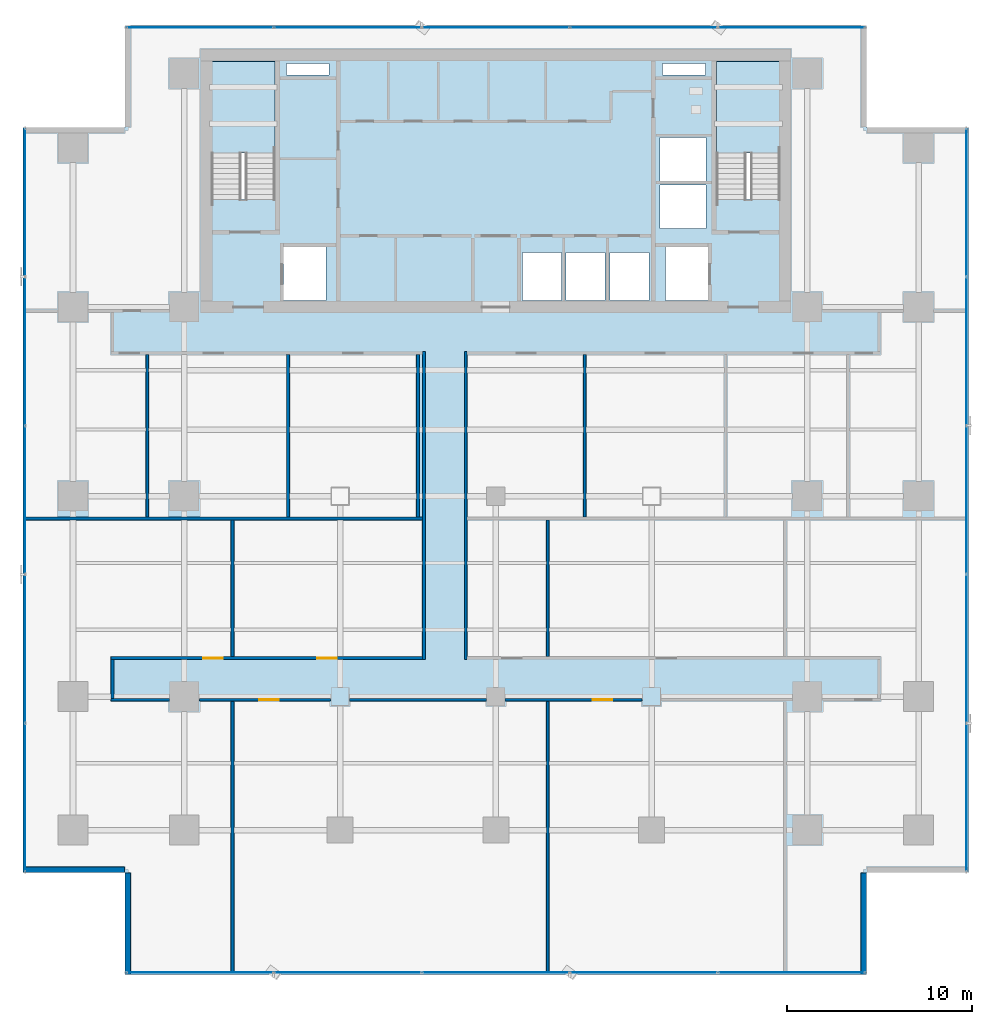
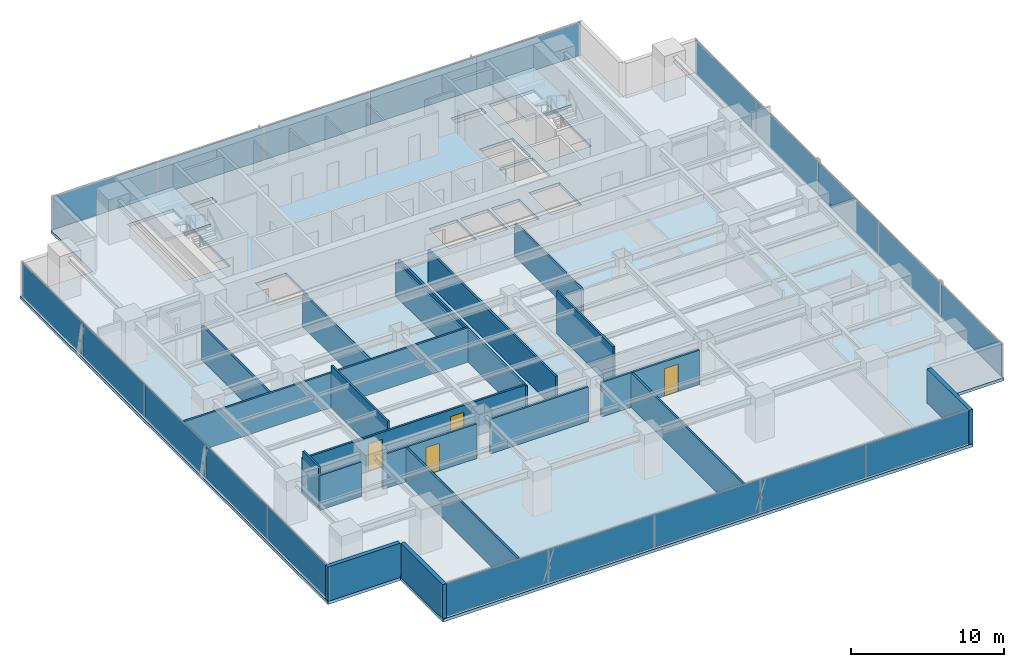
# One storey, part 25 of 34: 20 plates, 20 walls, 4 doors, 3 slabs, 4 openings, 6 elements without a shape of their own.
"""IFC4 building model written with IfcOpenShell, lengths in metres."""

from ifc_helpers import new_model, si_unit, direction, frame, frame_2d, origin, origin_2d, place, context, subcontext, project, spatial, polyline, rectangle, outline, extrude, source, transform, mapped, material, layer, layer_set, type_object, element, fill, aggregate, save


model = new_model("IFC4")

# Units and contexts
model_context = context("Model", 3, precision=1e-05, world=origin(), true_north=direction((0.0, 1.0)))
body_context = subcontext(model_context, "Body", "Model", "MODEL_VIEW")
ifc_project = project(units=[si_unit("LENGTHUNIT", "METRE"), si_unit("AREAUNIT", "SQUARE_METRE"), si_unit("VOLUMEUNIT", "CUBIC_METRE"), si_unit("PLANEANGLEUNIT", "RADIAN"), si_unit("MASSUNIT", "GRAM", prefix="KILO")], contexts=[model_context])

# Site, building, storey
site_placement = place(None, origin())
site = spatial("IfcSite", under=ifc_project, at=site_placement, CompositionType="ELEMENT")
building_placement = place(site_placement, origin())
building = spatial("IfcBuilding", under=site, at=building_placement, Name="Sumidabori Civic Tower", CompositionType="ELEMENT")
storey_placement = place(building_placement, frame((0.0, 0.0, 99.199951171875)))
storey = spatial("IfcBuildingStorey", under=building, at=storey_placement, Name="L25", CompositionType="ELEMENT", Elevation=99.199951171875)

# Stair, slab
ifc_material_1 = material(Name="Concrete C40/50", Category="concrete")
stair_type = type_object("IfcStairType", Name="ST-CORE-1600", PredefinedType="HALF_TURN_STAIR", material=ifc_material_1)
stair_1_placement = place(storey_placement, origin())
stair_1 = element("IfcStair", 1, at=stair_1_placement, inside=storey, type_object=stair_type, Name="L25 ST-1", PredefinedType="HALF_TURN_STAIR")
ifc_layer_1 = layer(ifc_material_1, 0.199951171875, Name="Concrete C40/50")
ifc_layer_set_1 = layer_set([ifc_layer_1], Name="Concrete C40/50")
slab_type_1 = type_object("IfcSlabType", Name="SL-LAND-200", PredefinedType="LANDING", material=ifc_layer_set_1)
slab_1_placement = place(storey_placement, frame((0.0, 0.0, 1.60009765625)))
slab_1 = element("IfcSlab", 2, at=slab_1_placement, type_object=slab_type_1, Name="ST-1 landing 1", PredefinedType="LANDING", context=body_context, shape_type="SweptSolid", body=[
    extrude(outline(polyline([(-11.89990234375, 18.52001953125), (-11.89990234375, 23.449951171875), (-15.340087890625, 23.449951171875), (-15.340087890625, 18.52001953125), (-11.89990234375, 18.52001953125)])), origin(), (0.0, 0.0, 1.0), 0.199951171875),
])
aggregate(stair_1, [slab_1])

stair_2_placement = place(storey_placement, origin())
stair_2 = element("IfcStair", 3, at=stair_2_placement, inside=storey, type_object=stair_type, Name="L25 ST-2", PredefinedType="HALF_TURN_STAIR")
slab_2_placement = place(storey_placement, frame((0.0, 0.0, 1.60009765625)))
slab_2 = element("IfcSlab", 4, at=slab_2_placement, type_object=slab_type_1, Name="ST-2 landing 1", PredefinedType="LANDING", context=body_context, shape_type="SweptSolid", body=[
    extrude(outline(polyline([(15.340087890625, 18.52001953125), (15.340087890625, 23.449951171875), (11.89990234375, 23.449951171875), (11.89990234375, 18.52001953125), (15.340087890625, 18.52001953125)])), origin(), (0.0, 0.0, 1.0), 0.199951171875),
])
aggregate(stair_2, [slab_2])

# Slab
ifc_layer_2 = layer(ifc_material_1, 0.239990234375, Name="Concrete C40/50")
ifc_layer_set_2 = layer_set([ifc_layer_2], Name="Concrete C40/50")
slab_type_2 = type_object("IfcSlabType", Name="SL-Z1-240", PredefinedType="FLOOR", material=ifc_layer_set_2)
slab_3_placement = place(storey_placement, frame((0.0, 0.0, -0.239990234375)))
element("IfcSlab", 5, at=slab_3_placement, inside=storey, type_object=slab_type_2, Name="Structural Slab L25", PredefinedType="FLOOR", context=body_context, shape_type="SweptSolid", body=[
    extrude(outline(polyline([(-20.0, -25.800048828125), (20.0, -25.800048828125), (20.0, -20.300048828125), (25.5, -20.300048828125), (25.5, 19.89990234375), (20.0, 19.89990234375), (20.0, 25.39990234375), (-20.0, 25.39990234375), (-20.0, 19.89990234375), (-25.5, 19.89990234375), (-25.5, -20.300048828125), (-20.0, -20.300048828125), (-20.0, -25.800048828125)]), holes=[polyline([(-11.89990234375, 16.0), (-11.89990234375, 23.449951171875), (-15.340087890625, 23.449951171875), (-15.340087890625, 16.0), (-11.89990234375, 16.0)]), polyline([(15.340087890625, 16.0), (15.340087890625, 23.449951171875), (11.89990234375, 23.449951171875), (11.89990234375, 16.0), (15.340087890625, 16.0)]), polyline([(-11.449951171875, 10.550048828125), (-9.14990234375, 10.550048828125), (-9.14990234375, 13.449951171875), (-11.449951171875, 13.449951171875), (-11.449951171875, 10.550048828125)]), polyline([(9.14990234375, 10.550048828125), (11.449951171875, 10.550048828125), (11.449951171875, 13.449951171875), (9.14990234375, 13.449951171875), (9.14990234375, 10.550048828125)]), polyline([(1.449951171875, 10.550048828125), (3.550048828125, 10.550048828125), (3.550048828125, 13.14990234375), (1.449951171875, 13.14990234375), (1.449951171875, 10.550048828125)]), polyline([(3.800048828125, 10.550048828125), (5.89990234375, 10.550048828125), (5.89990234375, 13.14990234375), (3.800048828125, 13.14990234375), (3.800048828125, 10.550048828125)]), polyline([(6.14990234375, 10.550048828125), (8.25, 10.550048828125), (8.25, 13.14990234375), (6.14990234375, 13.14990234375), (6.14990234375, 10.550048828125)]), polyline([(8.85009765625, 14.449951171875), (11.35009765625, 14.449951171875), (11.35009765625, 16.800048828125), (8.85009765625, 16.800048828125), (8.85009765625, 14.449951171875)]), polyline([(8.85009765625, 17.0), (11.35009765625, 17.0), (11.35009765625, 19.35009765625), (8.85009765625, 19.35009765625), (8.85009765625, 17.0)]), polyline([(-11.300048828125, 22.719970703125), (-9.0, 22.719970703125), (-9.0, 23.35009765625), (-11.300048828125, 23.35009765625), (-11.300048828125, 22.719970703125)]), polyline([(9.0, 22.719970703125), (11.300048828125, 22.719970703125), (11.300048828125, 23.35009765625), (9.0, 23.35009765625), (9.0, 22.719970703125)])]), origin(), (0.0, 0.0, 1.0), 0.239990234375),
])

# Curtain wall, plates
ifc_material_2 = material(Name="Anodised Bronze Aluminium AW-6063-T6", Category="aluminium")
ifc_layer_3 = layer(ifc_material_2, 0.179931640625, Name="Anodised Bronze Aluminium AW-6063-T6")
ifc_layer_set_3 = layer_set([ifc_layer_3], Name="Anodised Bronze Aluminium AW-6063-T6")
curtain_wall_type = type_object("IfcCurtainWallType", Name="CW-SYS-3", PredefinedType="NOTDEFINED", material=ifc_layer_set_3)
curtain_wall_1_placement = place(storey_placement, origin())
curtain_wall_1 = element("IfcCurtainWall", 6, at=curtain_wall_1_placement, inside=storey, type_object=curtain_wall_type, Name="Curtain Wall CW:L25:R01", PredefinedType="NOTDEFINED")
ifc_material_3 = material(Name="Low-E Solar-Control Vision Glazing", Category="glass")
ifc_layer_4 = layer(ifc_material_3, 0.028076171875, Name="Low-E Solar-Control Vision Glazing")
ifc_layer_set_4 = layer_set([ifc_layer_4], Name="Low-E Solar-Control Vision Glazing")
plate_type = type_object("IfcPlateType", Name="CW-PNL-28", PredefinedType="CURTAIN_PANEL", material=ifc_layer_set_4)
shared_shape_1 = source(origin(), body_context, "Body", "SweptSolid", [
    extrude(rectangle(XDim=7.890380859375, YDim=0.028076171875, at=origin_2d()), origin(), (0.0, 0.0, 1.0), 2.6201171875),
])
plate_1_placement = place(storey_placement, frame((-15.959716796875, -25.679931640625, 0.06005859375), z_axis=(0.0, 0.0, 1.0), x_axis=(1.0, 0.0, 0.0)))
plate_1 = element("IfcPlate", 7, at=plate_1_placement, type_object=plate_type, Name="CW-3 panel 1.1", PredefinedType="CURTAIN_PANEL", context=body_context, shape_type="MappedRepresentation", body=[
    mapped(shared_shape_1, transform((0.0, 0.0, 0.0), x_axis=(1.0, 0.0, 0.0), y_axis=(0.0, 1.0, 0.0), z_axis=(0.0, 0.0, 1.0), scale=1.0)),
])
plate_2_placement = place(storey_placement, frame((15.959716796875, -25.679931640625, 0.06005859375), z_axis=(0.0, 0.0, 1.0), x_axis=(1.0, 0.0, 0.0)))
plate_2 = element("IfcPlate", 8, at=plate_2_placement, type_object=plate_type, Name="CW-3 panel 5.1", PredefinedType="CURTAIN_PANEL", context=body_context, shape_type="MappedRepresentation", body=[
    mapped(shared_shape_1, transform((0.0, 0.0, 0.0), x_axis=(1.0, 0.0, 0.0), y_axis=(0.0, 1.0, 0.0), z_axis=(0.0, 0.0, 1.0), scale=1.0)),
])

curtain_wall_2_placement = place(storey_placement, origin())
curtain_wall_2 = element("IfcCurtainWall", 9, at=curtain_wall_2_placement, inside=storey, type_object=curtain_wall_type, Name="Curtain Wall CW:L25:R07", PredefinedType="NOTDEFINED")
plate_3_placement = place(storey_placement, frame((15.959716796875, 25.280029296875, 0.06005859375), z_axis=(0.0, 0.0, 1.0), x_axis=(-1.0, 0.0, 0.0)))
plate_3 = element("IfcPlate", 10, at=plate_3_placement, type_object=plate_type, Name="CW-3 panel 1.1", PredefinedType="CURTAIN_PANEL", context=body_context, shape_type="MappedRepresentation", body=[
    mapped(shared_shape_1, transform((0.0, 0.0, 0.0), x_axis=(1.0, 0.0, 0.0), y_axis=(0.0, 1.0, 0.0), z_axis=(0.0, 0.0, 1.0), scale=1.0)),
])
plate_4_placement = place(storey_placement, frame((-15.959716796875, 25.280029296875, 0.06005859375), z_axis=(0.0, 0.0, 1.0), x_axis=(-1.0, 0.0, 0.0)))
plate_4 = element("IfcPlate", 11, at=plate_4_placement, type_object=plate_type, Name="CW-3 panel 5.1", PredefinedType="CURTAIN_PANEL", context=body_context, shape_type="MappedRepresentation", body=[
    mapped(shared_shape_1, transform((0.0, 0.0, 0.0), x_axis=(1.0, 0.0, 0.0), y_axis=(0.0, 1.0, 0.0), z_axis=(0.0, 0.0, 1.0), scale=1.0)),
])

# Plate
shared_shape_2 = source(origin(), body_context, "Body", "SweptSolid", [
    extrude(rectangle(XDim=7.923095703125, YDim=0.028076171875, at=origin_2d()), origin(), (0.0, 0.0, 1.0), 2.6201171875),
])
plate_5_placement = place(storey_placement, frame((-7.988037109375, -25.679931640625, 0.06005859375), z_axis=(0.0, 0.0, 1.0), x_axis=(1.0, 0.0, 0.0)))
plate_5 = element("IfcPlate", 12, at=plate_5_placement, type_object=plate_type, Name="CW-3 panel 2.1", PredefinedType="CURTAIN_PANEL", context=body_context, shape_type="MappedRepresentation", body=[
    mapped(shared_shape_2, transform((0.0, 0.0, 0.0), x_axis=(1.0, 0.0, 0.0), y_axis=(0.0, 1.0, 0.0), z_axis=(0.0, 0.0, 1.0), scale=1.0)),
])

plate_6_placement = place(storey_placement, frame((0.0, -25.679931640625, 0.06005859375), z_axis=(0.0, 0.0, 1.0), x_axis=(1.0, 0.0, 0.0)))
plate_6 = element("IfcPlate", 13, at=plate_6_placement, type_object=plate_type, Name="CW-3 panel 3.1", PredefinedType="CURTAIN_PANEL", context=body_context, shape_type="MappedRepresentation", body=[
    mapped(shared_shape_2, transform((0.0, 0.0, 0.0), x_axis=(1.0, 0.0, 0.0), y_axis=(0.0, 1.0, 0.0), z_axis=(0.0, 0.0, 1.0), scale=1.0)),
])

plate_7_placement = place(storey_placement, frame((7.988037109375, -25.679931640625, 0.06005859375), z_axis=(0.0, 0.0, 1.0), x_axis=(1.0, 0.0, 0.0)))
plate_7 = element("IfcPlate", 14, at=plate_7_placement, type_object=plate_type, Name="CW-3 panel 4.1", PredefinedType="CURTAIN_PANEL", context=body_context, shape_type="MappedRepresentation", body=[
    mapped(shared_shape_2, transform((0.0, 0.0, 0.0), x_axis=(1.0, 0.0, 0.0), y_axis=(0.0, 1.0, 0.0), z_axis=(0.0, 0.0, 1.0), scale=1.0)),
])

aggregate(curtain_wall_1, [plate_1, plate_5, plate_6, plate_7, plate_2])

plate_8_placement = place(storey_placement, frame((7.988037109375, 25.280029296875, 0.06005859375), z_axis=(0.0, 0.0, 1.0), x_axis=(-1.0, 0.0, 0.0)))
plate_8 = element("IfcPlate", 15, at=plate_8_placement, type_object=plate_type, Name="CW-3 panel 2.1", PredefinedType="CURTAIN_PANEL", context=body_context, shape_type="MappedRepresentation", body=[
    mapped(shared_shape_2, transform((0.0, 0.0, 0.0), x_axis=(1.0, 0.0, 0.0), y_axis=(0.0, 1.0, 0.0), z_axis=(0.0, 0.0, 1.0), scale=1.0)),
])

plate_9_placement = place(storey_placement, frame((0.0, 25.280029296875, 0.06005859375), z_axis=(0.0, 0.0, 1.0), x_axis=(-1.0, 0.0, 0.0)))
plate_9 = element("IfcPlate", 16, at=plate_9_placement, type_object=plate_type, Name="CW-3 panel 3.1", PredefinedType="CURTAIN_PANEL", context=body_context, shape_type="MappedRepresentation", body=[
    mapped(shared_shape_2, transform((0.0, 0.0, 0.0), x_axis=(1.0, 0.0, 0.0), y_axis=(0.0, 1.0, 0.0), z_axis=(0.0, 0.0, 1.0), scale=1.0)),
])

plate_10_placement = place(storey_placement, frame((-7.988037109375, 25.280029296875, 0.06005859375), z_axis=(0.0, 0.0, 1.0), x_axis=(-1.0, 0.0, 0.0)))
plate_10 = element("IfcPlate", 17, at=plate_10_placement, type_object=plate_type, Name="CW-3 panel 4.1", PredefinedType="CURTAIN_PANEL", context=body_context, shape_type="MappedRepresentation", body=[
    mapped(shared_shape_2, transform((0.0, 0.0, 0.0), x_axis=(1.0, 0.0, 0.0), y_axis=(0.0, 1.0, 0.0), z_axis=(0.0, 0.0, 1.0), scale=1.0)),
])

aggregate(curtain_wall_2, [plate_3, plate_8, plate_9, plate_10, plate_4])

# Curtain wall, plates
curtain_wall_3_placement = place(storey_placement, origin())
curtain_wall_3 = element("IfcCurtainWall", 18, at=curtain_wall_3_placement, inside=storey, type_object=curtain_wall_type, Name="Curtain Wall CW:L25:R04", PredefinedType="NOTDEFINED")
shared_shape_3 = source(origin(), body_context, "Body", "SweptSolid", [
    extrude(rectangle(XDim=7.930419921875, YDim=0.028076171875, at=origin_2d()), origin(), (0.0, 0.0, 1.0), 2.6201171875),
])
plate_11_placement = place(storey_placement, frame((25.3798828125, -16.23974609375, 0.06005859375), z_axis=(0.0, 0.0, 1.0), x_axis=(0.0, 1.0, 0.0)))
plate_11 = element("IfcPlate", 19, at=plate_11_placement, type_object=plate_type, Name="CW-3 panel 1.1", PredefinedType="CURTAIN_PANEL", context=body_context, shape_type="MappedRepresentation", body=[
    mapped(shared_shape_3, transform((0.0, 0.0, 0.0), x_axis=(1.0, 0.0, 0.0), y_axis=(0.0, 1.0, 0.0), z_axis=(0.0, 0.0, 1.0), scale=1.0)),
])
plate_12_placement = place(storey_placement, frame((25.3798828125, 15.83984375, 0.06005859375), z_axis=(0.0, 0.0, 1.0), x_axis=(0.0, 1.0, 0.0)))
plate_12 = element("IfcPlate", 20, at=plate_12_placement, type_object=plate_type, Name="CW-3 panel 5.1", PredefinedType="CURTAIN_PANEL", context=body_context, shape_type="MappedRepresentation", body=[
    mapped(shared_shape_3, transform((0.0, 0.0, 0.0), x_axis=(1.0, 0.0, 0.0), y_axis=(0.0, 1.0, 0.0), z_axis=(0.0, 0.0, 1.0), scale=1.0)),
])

curtain_wall_4_placement = place(storey_placement, origin())
curtain_wall_4 = element("IfcCurtainWall", 21, at=curtain_wall_4_placement, inside=storey, type_object=curtain_wall_type, Name="Curtain Wall CW:L25:R10", PredefinedType="NOTDEFINED")
plate_13_placement = place(storey_placement, frame((-25.3798828125, 15.83984375, 0.06005859375), z_axis=(0.0, 0.0, 1.0), x_axis=(0.0, -1.0, 0.0)))
plate_13 = element("IfcPlate", 22, at=plate_13_placement, type_object=plate_type, Name="CW-3 panel 1.1", PredefinedType="CURTAIN_PANEL", context=body_context, shape_type="MappedRepresentation", body=[
    mapped(shared_shape_3, transform((0.0, 0.0, 0.0), x_axis=(1.0, 0.0, 0.0), y_axis=(0.0, 1.0, 0.0), z_axis=(0.0, 0.0, 1.0), scale=1.0)),
])
plate_14_placement = place(storey_placement, frame((-25.3798828125, -16.23974609375, 0.06005859375), z_axis=(0.0, 0.0, 1.0), x_axis=(0.0, -1.0, 0.0)))
plate_14 = element("IfcPlate", 23, at=plate_14_placement, type_object=plate_type, Name="CW-3 panel 5.1", PredefinedType="CURTAIN_PANEL", context=body_context, shape_type="MappedRepresentation", body=[
    mapped(shared_shape_3, transform((0.0, 0.0, 0.0), x_axis=(1.0, 0.0, 0.0), y_axis=(0.0, 1.0, 0.0), z_axis=(0.0, 0.0, 1.0), scale=1.0)),
])

# Plate
shared_shape_4 = source(origin(), body_context, "Body", "SweptSolid", [
    extrude(rectangle(XDim=7.962890625, YDim=0.028076171875, at=origin_2d()), origin(), (0.0, 0.0, 1.0), 2.6201171875),
])
plate_15_placement = place(storey_placement, frame((25.3798828125, -8.22802734375, 0.06005859375), z_axis=(0.0, 0.0, 1.0), x_axis=(0.0, 1.0, 0.0)))
plate_15 = element("IfcPlate", 24, at=plate_15_placement, type_object=plate_type, Name="CW-3 panel 2.1", PredefinedType="CURTAIN_PANEL", context=body_context, shape_type="MappedRepresentation", body=[
    mapped(shared_shape_4, transform((0.0, 0.0, 0.0), x_axis=(1.0, 0.0, 0.0), y_axis=(0.0, 1.0, 0.0), z_axis=(0.0, 0.0, 1.0), scale=1.0)),
])

plate_16_placement = place(storey_placement, frame((25.3798828125, -0.199951171875, 0.06005859375), z_axis=(0.0, 0.0, 1.0), x_axis=(0.0, 1.0, 0.0)))
plate_16 = element("IfcPlate", 25, at=plate_16_placement, type_object=plate_type, Name="CW-3 panel 3.1", PredefinedType="CURTAIN_PANEL", context=body_context, shape_type="MappedRepresentation", body=[
    mapped(shared_shape_4, transform((0.0, 0.0, 0.0), x_axis=(1.0, 0.0, 0.0), y_axis=(0.0, 1.0, 0.0), z_axis=(0.0, 0.0, 1.0), scale=1.0)),
])

plate_17_placement = place(storey_placement, frame((25.3798828125, 7.827880859375, 0.06005859375), z_axis=(0.0, 0.0, 1.0), x_axis=(0.0, 1.0, 0.0)))
plate_17 = element("IfcPlate", 26, at=plate_17_placement, type_object=plate_type, Name="CW-3 panel 4.1", PredefinedType="CURTAIN_PANEL", context=body_context, shape_type="MappedRepresentation", body=[
    mapped(shared_shape_4, transform((0.0, 0.0, 0.0), x_axis=(1.0, 0.0, 0.0), y_axis=(0.0, 1.0, 0.0), z_axis=(0.0, 0.0, 1.0), scale=1.0)),
])

aggregate(curtain_wall_3, [plate_11, plate_15, plate_16, plate_17, plate_12])

plate_18_placement = place(storey_placement, frame((-25.3798828125, 7.827880859375, 0.06005859375), z_axis=(0.0, 0.0, 1.0), x_axis=(0.0, -1.0, 0.0)))
plate_18 = element("IfcPlate", 27, at=plate_18_placement, type_object=plate_type, Name="CW-3 panel 2.1", PredefinedType="CURTAIN_PANEL", context=body_context, shape_type="MappedRepresentation", body=[
    mapped(shared_shape_4, transform((0.0, 0.0, 0.0), x_axis=(1.0, 0.0, 0.0), y_axis=(0.0, 1.0, 0.0), z_axis=(0.0, 0.0, 1.0), scale=1.0)),
])

plate_19_placement = place(storey_placement, frame((-25.3798828125, -0.199951171875, 0.06005859375), z_axis=(0.0, 0.0, 1.0), x_axis=(0.0, -1.0, 0.0)))
plate_19 = element("IfcPlate", 28, at=plate_19_placement, type_object=plate_type, Name="CW-3 panel 3.1", PredefinedType="CURTAIN_PANEL", context=body_context, shape_type="MappedRepresentation", body=[
    mapped(shared_shape_4, transform((0.0, 0.0, 0.0), x_axis=(1.0, 0.0, 0.0), y_axis=(0.0, 1.0, 0.0), z_axis=(0.0, 0.0, 1.0), scale=1.0)),
])

plate_20_placement = place(storey_placement, frame((-25.3798828125, -8.22802734375, 0.06005859375), z_axis=(0.0, 0.0, 1.0), x_axis=(0.0, -1.0, 0.0)))
plate_20 = element("IfcPlate", 29, at=plate_20_placement, type_object=plate_type, Name="CW-3 panel 4.1", PredefinedType="CURTAIN_PANEL", context=body_context, shape_type="MappedRepresentation", body=[
    mapped(shared_shape_4, transform((0.0, 0.0, 0.0), x_axis=(1.0, 0.0, 0.0), y_axis=(0.0, 1.0, 0.0), z_axis=(0.0, 0.0, 1.0), scale=1.0)),
])

aggregate(curtain_wall_4, [plate_13, plate_18, plate_19, plate_20, plate_14])

# Walls
ifc_material_4 = material(Name="Precast concrete C40/50", Category="concrete")
ifc_layer_5 = layer(ifc_material_4, 0.300048828125, Name="Precast concrete C40/50")
ifc_layer_set_5 = layer_set([ifc_layer_5], Name="Precast concrete C40/50")
wall_type_1 = type_object("IfcWallType", Name="WL-EXT-POD300", PredefinedType="STANDARD", material=ifc_layer_set_5)
shared_shape_5 = source(origin(), body_context, "Body", "SweptSolid", [
    extrude(rectangle(XDim=5.4599609375, YDim=0.300048828125, at=frame_2d((2.72998046875, 0.0))), origin(), (0.0, 0.0, 1.0), 2.739990234375),
])
for number, where, z_axis, x_axis, name in (
    (30, (19.85009765625, -25.780029296875, 0.0), (0.0, 0.0, 1.0), (0.0, 1.0, 0.0), "Notched Corner Spandrel Band L25-02"),
    (31, (-25.47998046875, -20.14990234375, 0.0), (0.0, 0.0, 1.0), (1.0, 0.0, 0.0), "Notched Corner Spandrel Band L25-11"),
    (32, (-19.85009765625, -20.320068359375, 0.0), (0.0, 0.0, 1.0), (0.0, -1.0, 0.0), "Notched Corner Spandrel Band L25-12"),
):
    element("IfcWall", number, at=place(storey_placement, frame(where, z_axis=z_axis, x_axis=x_axis)), inside=storey, type_object=wall_type_1, Name=name, PredefinedType="STANDARD", context=body_context, shape_type="MappedRepresentation", body=[
        mapped(shared_shape_5, transform((0.0, 0.0, 0.0), x_axis=(1.0, 0.0, 0.0), y_axis=(0.0, 1.0, 0.0), z_axis=(0.0, 0.0, 1.0), scale=1.0)),
    ])

# Wall, openings, doors
ifc_material_5 = material(Name="Gypsum Plasterboard Acoustic Partition")
ifc_layer_6 = layer(ifc_material_5, 0.14990234375, Name="Gypsum Plasterboard Acoustic Partition")
ifc_layer_set_6 = layer_set([ifc_layer_6], Name="Gypsum Plasterboard Acoustic Partition")
wall_type_2 = type_object("IfcWallType", Name="WL-PART-150", PredefinedType="PARTITIONING", material=ifc_layer_set_6)
shared_shape_6 = source(origin(), body_context, "Body", "SweptSolid", [
    extrude(rectangle(XDim=16.800048828125, YDim=0.14990234375, at=frame_2d((8.39990234375, 0.0))), origin(), (0.0, 0.0, 1.0), 2.7451171875),
])
wall_1_placement = place(storey_placement, frame((-20.75, -8.72509765625, 0.0), z_axis=(0.0, 0.0, 1.0), x_axis=(1.0, 0.0, 0.0)))
wall_1 = element("IfcWall", 33, at=wall_1_placement, inside=storey, type_object=wall_type_2, Name="Interior Partition WL:L25:CORR-MNW", PredefinedType="PARTITIONING", context=body_context, shape_type="MappedRepresentation", body=[
    mapped(shared_shape_6, transform((0.0, 0.0, 0.0), x_axis=(1.0, 0.0, 0.0), y_axis=(0.0, 1.0, 0.0), z_axis=(0.0, 0.0, 1.0), scale=1.0)),
])
opening_1_placement = place(wall_1_placement, frame((11.132568359375, 0.0, 0.0)))
opening_1 = element("IfcOpeningElement", 34, at=opening_1_placement, cuts=wall_1, Name="Opening DR-4", PredefinedType="OPENING", context=body_context, shape_type="SweptSolid", body=[
    extrude(rectangle(XDim=1.0400390625, YDim=2.199951171875, at=frame_2d((0.52001953125, 1.10009765625))), frame((0.0, 0.0869140625, 0.0), z_axis=(0.0, -1.0, 0.0), x_axis=(1.0, 0.0, 0.0)), (0.0, 0.0, 1.0), 0.173828125),
])
opening_2_placement = place(wall_1_placement, frame((4.9775390625, 0.0, 0.0)))
opening_2 = element("IfcOpeningElement", 35, at=opening_2_placement, cuts=wall_1, Name="Opening DR-4", PredefinedType="OPENING", context=body_context, shape_type="SweptSolid", body=[
    extrude(rectangle(XDim=1.0400390625, YDim=2.199951171875, at=frame_2d((0.52001953125, 1.10009765625))), frame((0.0, 0.0869140625, 0.0), z_axis=(0.0, -1.0, 0.0), x_axis=(1.0, 0.0, 0.0)), (0.0, 0.0, 1.0), 0.173828125),
])
ifc_material_6 = material(Name="Japanese Hinoki Timber", Category="wood")
door_type = type_object("IfcDoorType", Name="DR-INT-1040", OperationType="NOTDEFINED", PredefinedType="DOOR", material=ifc_material_6)
shared_shape_7 = source(origin(), body_context, "Body", "SweptSolid", [
    extrude(rectangle(XDim=1.0400390625, YDim=2.199951171875, at=frame_2d((0.52001953125, 1.10009765625))), frame((0.0, 0.02490234375, 0.0), z_axis=(0.0, -1.0, 0.0), x_axis=(1.0, 0.0, 0.0)), (0.0, 0.0, 1.0), 0.050048828125),
])
door_1_placement = place(opening_1_placement, origin())
door_1 = element("IfcDoor", 36, at=door_1_placement, inside=storey, type_object=door_type, Name="Door DR:L25:D09", OperationType="SINGLE_SWING_LEFT", OverallHeight=2.199951171875, OverallWidth=1.0400390625, PredefinedType="DOOR", context=body_context, shape_type="MappedRepresentation", body=[
    mapped(shared_shape_7, transform((0.0, 0.0, 0.0), x_axis=(1.0, 0.0, 0.0), y_axis=(0.0, 1.0, 0.0), z_axis=(0.0, 0.0, 1.0), scale=1.0)),
])
fill(opening_1, door_1)
door_2_placement = place(opening_2_placement, origin())
door_2 = element("IfcDoor", 37, at=door_2_placement, inside=storey, type_object=door_type, Name="Door DR:L25:D13", OperationType="SINGLE_SWING_LEFT", OverallHeight=2.199951171875, OverallWidth=1.0400390625, PredefinedType="DOOR", context=body_context, shape_type="MappedRepresentation", body=[
    mapped(shared_shape_7, transform((0.0, 0.0, 0.0), x_axis=(1.0, 0.0, 0.0), y_axis=(0.0, 1.0, 0.0), z_axis=(0.0, 0.0, 1.0), scale=1.0)),
])
fill(opening_2, door_2)

# Wall
shared_shape_8 = source(origin(), body_context, "Body", "SweptSolid", [
    extrude(rectangle(XDim=3.139892578125, YDim=0.14990234375, at=frame_2d((1.56982421875, 0.0))), origin(), (0.0, 0.0, 1.0), 2.7451171875),
])
wall_2_placement = place(storey_placement, frame((-20.75, -10.97509765625, 0.0), z_axis=(0.0, 0.0, 1.0), x_axis=(1.0, 0.0, 0.0)))
element("IfcWall", 38, at=wall_2_placement, inside=storey, type_object=wall_type_2, Name="Interior Partition WL:L25:CORR-SS-1", PredefinedType="PARTITIONING", context=body_context, shape_type="MappedRepresentation", body=[
    mapped(shared_shape_8, transform((0.0, 0.0, 0.0), x_axis=(1.0, 0.0, 0.0), y_axis=(0.0, 1.0, 0.0), z_axis=(0.0, 0.0, 1.0), scale=1.0)),
])

# Wall, opening, door
shared_shape_9 = source(origin(), body_context, "Body", "SweptSolid", [
    extrude(rectangle(XDim=7.080078125, YDim=0.14990234375, at=frame_2d((3.5400390625, 0.0))), origin(), (0.0, 0.0, 1.0), 2.7451171875),
])
wall_3_placement = place(storey_placement, frame((-15.989990234375, -10.97509765625, 0.0), z_axis=(0.0, 0.0, 1.0), x_axis=(1.0, 0.0, 0.0)))
wall_3 = element("IfcWall", 39, at=wall_3_placement, inside=storey, type_object=wall_type_2, Name="Interior Partition WL:L25:CORR-SS-2", PredefinedType="PARTITIONING", context=body_context, shape_type="MappedRepresentation", body=[
    mapped(shared_shape_9, transform((0.0, 0.0, 0.0), x_axis=(1.0, 0.0, 0.0), y_axis=(0.0, 1.0, 0.0), z_axis=(0.0, 0.0, 1.0), scale=1.0)),
])
opening_3_placement = place(wall_3_placement, frame((3.232421875, 0.0, 0.0)))
opening_3 = element("IfcOpeningElement", 40, at=opening_3_placement, cuts=wall_3, Name="Opening DR-4", PredefinedType="OPENING", context=body_context, shape_type="SweptSolid", body=[
    extrude(rectangle(XDim=1.0400390625, YDim=2.199951171875, at=frame_2d((0.52001953125, 1.10009765625))), frame((0.0, 0.0869140625, 0.0), z_axis=(0.0, -1.0, 0.0), x_axis=(1.0, 0.0, 0.0)), (0.0, 0.0, 1.0), 0.173828125),
])
door_3_placement = place(opening_3_placement, origin())
door_3 = element("IfcDoor", 41, at=door_3_placement, inside=storey, type_object=door_type, Name="Door DR:L25:D14", OperationType="SINGLE_SWING_RIGHT", OverallHeight=2.199951171875, OverallWidth=1.0400390625, PredefinedType="DOOR", context=body_context, shape_type="MappedRepresentation", body=[
    mapped(shared_shape_7, transform((0.0, 0.0, 0.0), x_axis=(1.0, 0.0, 0.0), y_axis=(0.0, 1.0, 0.0), z_axis=(0.0, 0.0, 1.0), scale=1.0)),
])
fill(opening_3, door_3)

# Wall
shared_shape_10 = source(origin(), body_context, "Body", "SweptSolid", [
    extrude(rectangle(XDim=7.3798828125, YDim=0.14990234375, at=frame_2d((3.68994140625, 0.0))), origin(), (0.0, 0.0, 1.0), 2.7451171875),
])
wall_4_placement = place(storey_placement, frame((-7.889892578125, -10.97509765625, 0.0), z_axis=(0.0, 0.0, 1.0), x_axis=(1.0, 0.0, 0.0)))
element("IfcWall", 42, at=wall_4_placement, inside=storey, type_object=wall_type_2, Name="Interior Partition WL:L25:CORR-SS-3", PredefinedType="PARTITIONING", context=body_context, shape_type="MappedRepresentation", body=[
    mapped(shared_shape_10, transform((0.0, 0.0, 0.0), x_axis=(1.0, 0.0, 0.0), y_axis=(0.0, 1.0, 0.0), z_axis=(0.0, 0.0, 1.0), scale=1.0)),
])

# Wall, opening, door
wall_5_placement = place(storey_placement, frame((0.510009765625, -10.97509765625, 0.0), z_axis=(0.0, 0.0, 1.0), x_axis=(1.0, 0.0, 0.0)))
wall_5 = element("IfcWall", 43, at=wall_5_placement, inside=storey, type_object=wall_type_2, Name="Interior Partition WL:L25:CORR-SS-4", PredefinedType="PARTITIONING", context=body_context, shape_type="MappedRepresentation", body=[
    mapped(shared_shape_10, transform((0.0, 0.0, 0.0), x_axis=(1.0, 0.0, 0.0), y_axis=(0.0, 1.0, 0.0), z_axis=(0.0, 0.0, 1.0), scale=1.0)),
])
opening_4_placement = place(wall_5_placement, frame((4.732421875, 0.0, 0.0)))
opening_4 = element("IfcOpeningElement", 44, at=opening_4_placement, cuts=wall_5, Name="Opening DR-4", PredefinedType="OPENING", context=body_context, shape_type="SweptSolid", body=[
    extrude(rectangle(XDim=1.0400390625, YDim=2.199951171875, at=frame_2d((0.52001953125, 1.10009765625))), frame((0.0, 0.0869140625, 0.0), z_axis=(0.0, -1.0, 0.0), x_axis=(1.0, 0.0, 0.0)), (0.0, 0.0, 1.0), 0.173828125),
])
door_4_placement = place(opening_4_placement, origin())
door_4 = element("IfcDoor", 45, at=door_4_placement, inside=storey, type_object=door_type, Name="Door DR:L25:D15", OperationType="SINGLE_SWING_LEFT", OverallHeight=2.199951171875, OverallWidth=1.0400390625, PredefinedType="DOOR", context=body_context, shape_type="MappedRepresentation", body=[
    mapped(shared_shape_7, transform((0.0, 0.0, 0.0), x_axis=(1.0, 0.0, 0.0), y_axis=(0.0, 1.0, 0.0), z_axis=(0.0, 0.0, 1.0), scale=1.0)),
])
fill(opening_4, door_4)

# Walls
shared_shape_11 = source(origin(), body_context, "Body", "SweptSolid", [
    extrude(rectangle(XDim=16.60009765625, YDim=0.14990234375, at=frame_2d((8.300048828125, 0.0))), origin(), (0.0, 0.0, 1.0), 2.64501953125),
])
for number, where, z_axis, x_axis, name in (
    (46, (-3.875, -8.800048828125, 0.0), (0.0, 0.0, 1.0), (0.0, 1.0, 0.0), "Interior Partition WL:L25:CORR-VSP-W"),
    (47, (-1.625, -8.800048828125, 0.0), (0.0, 0.0, 1.0), (0.0, 1.0, 0.0), "Interior Partition WL:L25:CORR-VSP-E"),
):
    element("IfcWall", number, at=place(storey_placement, frame(where, z_axis=z_axis, x_axis=x_axis)), inside=storey, type_object=wall_type_2, Name=name, PredefinedType="PARTITIONING", context=body_context, shape_type="MappedRepresentation", body=[
        mapped(shared_shape_11, transform((0.0, 0.0, 0.0), x_axis=(1.0, 0.0, 0.0), y_axis=(0.0, 1.0, 0.0), z_axis=(0.0, 0.0, 1.0), scale=1.0)),
    ])
shared_shape_12 = source(origin(), body_context, "Body", "SweptSolid", [
    extrude(rectangle(XDim=2.090087890625, YDim=0.14990234375, at=frame_2d((1.044921875, 0.0))), origin(), (0.0, 0.0, 1.0), 3.360107421875),
])
wall_6_placement = place(storey_placement, frame((-20.675048828125, -10.89501953125, 0.0), z_axis=(0.0, 0.0, 1.0), x_axis=(0.0, 1.0, 0.0)))
element("IfcWall", 48, at=wall_6_placement, inside=storey, type_object=wall_type_2, Name="Interior Partition WL:L25:CORR-VSW", PredefinedType="PARTITIONING", context=body_context, shape_type="MappedRepresentation", body=[
    mapped(shared_shape_12, transform((0.0, 0.0, 0.0), x_axis=(1.0, 0.0, 0.0), y_axis=(0.0, 1.0, 0.0), z_axis=(0.0, 0.0, 1.0), scale=1.0)),
])
shared_shape_13 = source(origin(), body_context, "Body", "SweptSolid", [
    extrude(rectangle(XDim=21.39501953125, YDim=0.14990234375, at=frame_2d((10.697509765625, 0.0))), origin(), (0.0, 0.0, 1.0), 2.7451171875),
])
wall_7_placement = place(storey_placement, frame((-25.35009765625, -1.199951171875, 0.0), z_axis=(0.0, 0.0, 1.0), x_axis=(1.0, 0.0, 0.0)))
element("IfcWall", 49, at=wall_7_placement, inside=storey, type_object=wall_type_2, Name="Interior Partition WL:L25:BAND-Y-1", PredefinedType="PARTITIONING", context=body_context, shape_type="MappedRepresentation", body=[
    mapped(shared_shape_13, transform((0.0, 0.0, 0.0), x_axis=(1.0, 0.0, 0.0), y_axis=(0.0, 1.0, 0.0), z_axis=(0.0, 0.0, 1.0), scale=1.0)),
])
shared_shape_14 = source(origin(), body_context, "Body", "SweptSolid", [
    extrude(rectangle(XDim=8.76513671875, YDim=0.14990234375, at=frame_2d((4.382568359375, 0.0))), origin(), (0.0, 0.0, 1.0), 2.7451171875),
])
wall_8_placement = place(storey_placement, frame((-18.800048828125, -1.1201171875, 0.0), z_axis=(0.0, 0.0, 1.0), x_axis=(0.0, 1.0, 0.0)))
element("IfcWall", 50, at=wall_8_placement, inside=storey, type_object=wall_type_2, Name="Interior Partition WL:L25:VX-N1", PredefinedType="PARTITIONING", context=body_context, shape_type="MappedRepresentation", body=[
    mapped(shared_shape_14, transform((0.0, 0.0, 0.0), x_axis=(1.0, 0.0, 0.0), y_axis=(0.0, 1.0, 0.0), z_axis=(0.0, 0.0, 1.0), scale=1.0)),
])
shared_shape_15 = source(origin(), body_context, "Body", "SweptSolid", [
    extrude(rectangle(XDim=8.76513671875, YDim=0.14990234375, at=frame_2d((4.382568359375, 0.0))), origin(), (0.0, 0.0, 1.0), 2.64501953125),
])
for number, where, z_axis, x_axis, name in (
    (51, (-11.199951171875, -1.1201171875, 0.0), (0.0, 0.0, 1.0), (0.0, 1.0, 0.0), "Interior Partition WL:L25:VX-N2"),
    (52, (-4.199951171875, -1.1201171875, 0.0), (0.0, 0.0, 1.0), (0.0, 1.0, 0.0), "Interior Partition WL:L25:VX-N3"),
    (53, (4.800048828125, -1.1201171875, 0.0), (0.0, 0.0, 1.0), (0.0, 1.0, 0.0), "Interior Partition WL:L25:VX-N4"),
):
    element("IfcWall", number, at=place(storey_placement, frame(where, z_axis=z_axis, x_axis=x_axis)), inside=storey, type_object=wall_type_2, Name=name, PredefinedType="PARTITIONING", context=body_context, shape_type="MappedRepresentation", body=[
        mapped(shared_shape_15, transform((0.0, 0.0, 0.0), x_axis=(1.0, 0.0, 0.0), y_axis=(0.0, 1.0, 0.0), z_axis=(0.0, 0.0, 1.0), scale=1.0)),
    ])
shared_shape_16 = source(origin(), body_context, "Body", "SweptSolid", [
    extrude(rectangle(XDim=14.594970703125, YDim=0.14990234375, at=frame_2d((7.29736328125, 0.0))), origin(), (0.0, 0.0, 1.0), 2.7451171875),
])
for number, where, z_axis, x_axis, name in (
    (54, (-14.199951171875, -25.64990234375, 0.0), (0.0, 0.0, 1.0), (0.0, 1.0, 0.0), "Interior Partition WL:L25:VX-S1-1"),
    (55, (2.800048828125, -25.64990234375, 0.0), (0.0, 0.0, 1.0), (0.0, 1.0, 0.0), "Interior Partition WL:L25:VX-S2-1"),
):
    element("IfcWall", number, at=place(storey_placement, frame(where, z_axis=z_axis, x_axis=x_axis)), inside=storey, type_object=wall_type_2, Name=name, PredefinedType="PARTITIONING", context=body_context, shape_type="MappedRepresentation", body=[
        mapped(shared_shape_16, transform((0.0, 0.0, 0.0), x_axis=(1.0, 0.0, 0.0), y_axis=(0.0, 1.0, 0.0), z_axis=(0.0, 0.0, 1.0), scale=1.0)),
    ])
shared_shape_17 = source(origin(), body_context, "Body", "SweptSolid", [
    extrude(rectangle(XDim=7.364990234375, YDim=0.14990234375, at=frame_2d((3.6826171875, 0.0))), origin(), (0.0, 0.0, 1.0), 3.360107421875),
])
for number, where, z_axis, x_axis, name in (
    (56, (-14.199951171875, -8.64501953125, 0.0), (0.0, 0.0, 1.0), (0.0, 1.0, 0.0), "Interior Partition WL:L25:VX-S1-2"),
    (57, (2.800048828125, -8.64501953125, 0.0), (0.0, 0.0, 1.0), (0.0, 1.0, 0.0), "Interior Partition WL:L25:VX-S2-2"),
):
    element("IfcWall", number, at=place(storey_placement, frame(where, z_axis=z_axis, x_axis=x_axis)), inside=storey, type_object=wall_type_2, Name=name, PredefinedType="PARTITIONING", context=body_context, shape_type="MappedRepresentation", body=[
        mapped(shared_shape_17, transform((0.0, 0.0, 0.0), x_axis=(1.0, 0.0, 0.0), y_axis=(0.0, 1.0, 0.0), z_axis=(0.0, 0.0, 1.0), scale=1.0)),
    ])

save(model, "model.ifc")
